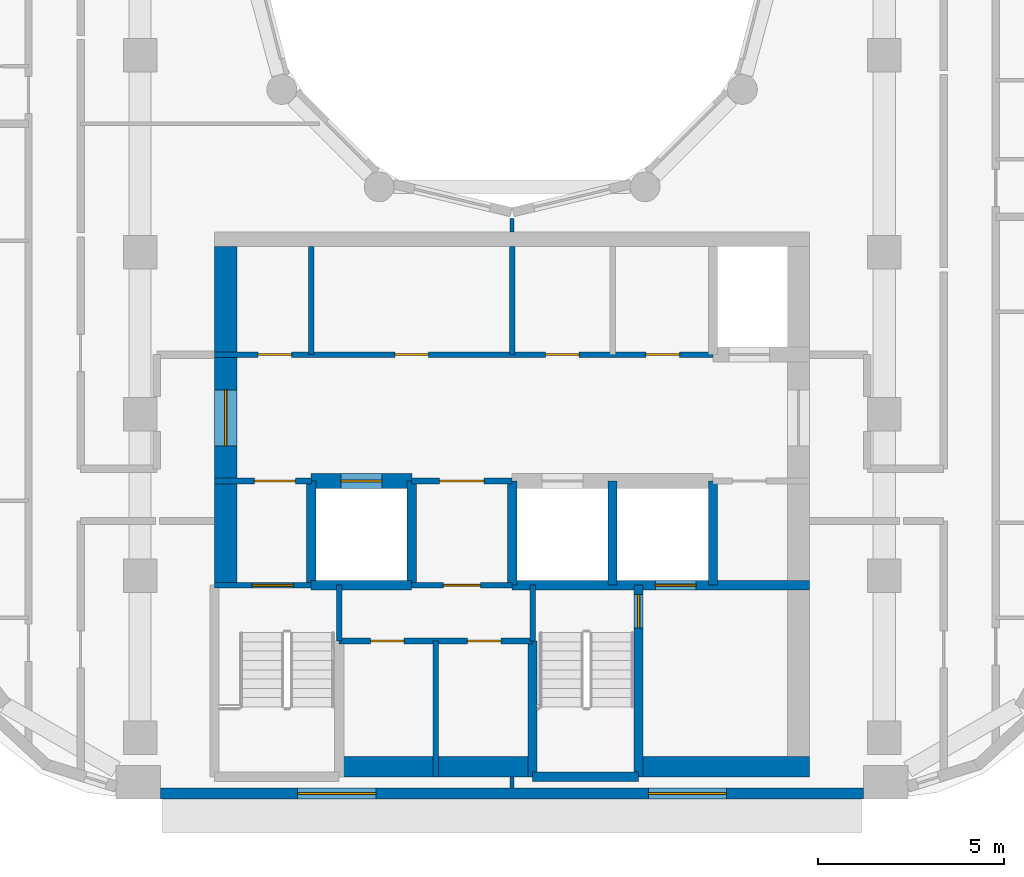
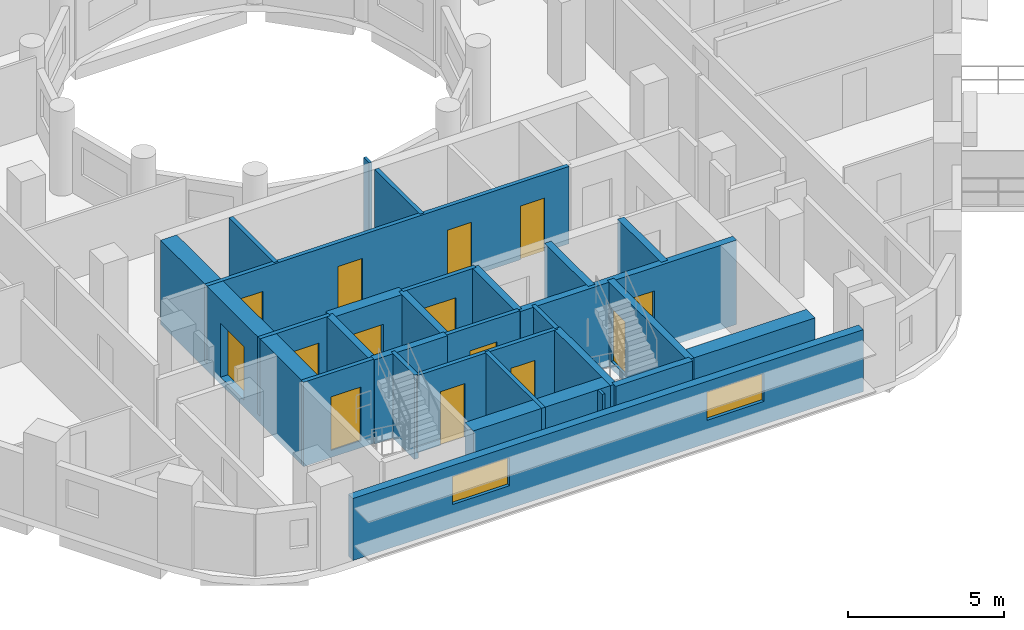
# One storey, part 3 of 16: 28 walls, 14 doors, 2 windows, 16 openings.
"""IFC4 building model written with IfcOpenShell, lengths in metres."""

from ifc_helpers import new_model, si_unit, direction, frame, frame_2d, origin, place, context, subcontext, project, spatial, rectangle, extrude, material, layer, layer_set, type_object, element, fill, save


model = new_model("IFC4")

# Units and contexts
model_context = context("Model", 3, precision=1e-05, world=origin(), true_north=direction((0.0, 1.0)))
body_context = subcontext(model_context, "Body", "Model", "MODEL_VIEW")
ifc_project = project(units=[si_unit("LENGTHUNIT", "METRE"), si_unit("AREAUNIT", "SQUARE_METRE"), si_unit("VOLUMEUNIT", "CUBIC_METRE"), si_unit("PLANEANGLEUNIT", "RADIAN"), si_unit("MASSUNIT", "GRAM", prefix="KILO")], contexts=[model_context])

# Site, building, storey
site_placement = place(None, origin())
site = spatial("IfcSite", under=ifc_project, at=site_placement, CompositionType="ELEMENT")
building_placement = place(site_placement, origin())
building = spatial("IfcBuilding", under=site, at=building_placement, Name="Nakaniwa Court", CompositionType="ELEMENT")
storey_placement = place(building_placement, frame((0.0, 0.0, 199.800048828125)))
storey = spatial("IfcBuildingStorey", under=building, at=storey_placement, Name="L52", CompositionType="ELEMENT", Elevation=199.800048828125)

# Wall, openings, windows
ifc_material_1 = material(Name="Charcoal ceramic cladding")
ifc_layer_1 = layer(ifc_material_1, 0.02, Name="Ceramic cladding")
ifc_material_2 = material(Name="Ventilated air cavity")
ifc_layer_2 = layer(ifc_material_2, 0.04, ventilated=True, Name="Ventilated cavity")
ifc_material_3 = material(Name="Mineral wool insulation")
ifc_layer_3 = layer(ifc_material_3, 0.1, Name="Insulation")
ifc_material_4 = material(Name="Cement bonded sheathing board")
ifc_layer_4 = layer(ifc_material_4, 0.012, Name="Sheathing")
ifc_material_5 = material(Name="Cold-formed galvanised stud frame with mineral wool infill")
ifc_layer_5 = layer(ifc_material_5, 0.1, Name="Stud frame")
ifc_material_6 = material(Name="Fire-rated gypsum plasterboard lining")
ifc_layer_6 = layer(ifc_material_6, 0.028, Name="Lining")
ifc_layer_set_1 = layer_set([ifc_layer_1, ifc_layer_2, ifc_layer_3, ifc_layer_4, ifc_layer_5, ifc_layer_6], Name="Charcoal ceramic faced external wall system")
wall_type_1 = type_object("IfcWallType", Name="Black ceramic faced external wall 300", PredefinedType="SOLIDWALL", material=ifc_layer_set_1)
wall_1_placement = place(storey_placement, frame((70.55078125, 57.5, 0.0), z_axis=(0.0, 0.0, 1.0), x_axis=(1.0, 0.0, 0.0)))
wall_1 = element("IfcWall", 1, at=wall_1_placement, inside=storey, type_object=wall_type_1, Name="L52 external wall 26", PredefinedType="SOLIDWALL", context=body_context, shape_type="SweptSolid", body=[
    extrude(rectangle(XDim=18.892822265625, YDim=0.300048828125, at=frame_2d((9.4462890625, 0.0))), origin(), (0.0, 0.0, 1.0), 2.425048828125),
])
opening_1_placement = place(wall_1_placement, frame((3.6865234375, 0.0, 0.89990234375)))
opening_1 = element("IfcOpeningElement", 2, at=opening_1_placement, cuts=wall_1, Name="Opening W7.26", PredefinedType="OPENING", context=body_context, shape_type="SweptSolid", body=[
    extrude(rectangle(XDim=2.10009765625, YDim=1.10009765625, at=frame_2d((1.050048828125, 0.550048828125))), frame((0.0, 0.159912109375, 0.0), z_axis=(0.0, -1.0, 0.0), x_axis=(1.0, 0.0, 0.0)), (0.0, 0.0, 1.0), 0.320068359375),
])
opening_2_placement = place(wall_1_placement, frame((13.10888671875, 0.0, 0.89990234375)))
opening_2 = element("IfcOpeningElement", 3, at=opening_2_placement, cuts=wall_1, Name="Opening W7.27", PredefinedType="OPENING", context=body_context, shape_type="SweptSolid", body=[
    extrude(rectangle(XDim=2.10009765625, YDim=1.10009765625, at=frame_2d((1.050048828125, 0.550048828125))), frame((0.0, 0.159912109375, 0.0), z_axis=(0.0, -1.0, 0.0), x_axis=(1.0, 0.0, 0.0)), (0.0, 0.0, 1.0), 0.320068359375),
])
ifc_material_7 = material(Name="Black anodised aluminium frame with dark low-E laminated double glazing", Category="aluminium")
window_type = type_object("IfcWindowType", Name="Dark glass window 2100x1100 sill 900", PartitioningType="SINGLE_PANEL", PredefinedType="WINDOW", material=ifc_material_7)
window_1_placement = place(opening_1_placement, origin())
window_1 = element("IfcWindow", 4, at=window_1_placement, inside=storey, type_object=window_type, Name="L52 habitable room window 26-0", OverallHeight=1.10009765625, OverallWidth=2.10009765625, PartitioningType="SINGLE_PANEL", PredefinedType="WINDOW", context=body_context, shape_type="SweptSolid", body=[
    extrude(rectangle(XDim=2.10009765625, YDim=1.10009765625, at=frame_2d((1.050048828125, 0.550048828125))), frame((0.0, 0.030029296875, 0.0), z_axis=(0.0, -1.0, 0.0), x_axis=(1.0, 0.0, 0.0)), (0.0, 0.0, 1.0), 0.06005859375),
])
fill(opening_1, window_1)
window_2_placement = place(opening_2_placement, origin())
window_2 = element("IfcWindow", 5, at=window_2_placement, inside=storey, type_object=window_type, Name="L52 habitable room window 26-1", OverallHeight=1.10009765625, OverallWidth=2.10009765625, PartitioningType="SINGLE_PANEL", PredefinedType="WINDOW", context=body_context, shape_type="SweptSolid", body=[
    extrude(rectangle(XDim=2.10009765625, YDim=1.10009765625, at=frame_2d((1.050048828125, 0.550048828125))), frame((0.0, 0.030029296875, 0.0), z_axis=(0.0, -1.0, 0.0), x_axis=(1.0, 0.0, 0.0)), (0.0, 0.0, 1.0), 0.06005859375),
])
fill(opening_2, window_2)

# Wall
ifc_material_8 = material(Name="Blockwork partition", Category="masonry")
ifc_layer_7 = layer(ifc_material_8, 0.14990234375)
ifc_layer_set_2 = layer_set([ifc_layer_7], Name="Blockwork partition")
wall_type_2 = type_object("IfcWallType", Name="Blockwork partition 150", PredefinedType="PARTITIONING", material=ifc_layer_set_2)
wall_2_placement = place(storey_placement, frame((74.60009765625, 69.300048828125, 0.0), z_axis=(0.0, 0.0, 1.0), x_axis=(0.0, 1.0, 0.0)))
element("IfcWall", 6, at=wall_2_placement, inside=storey, type_object=wall_type_2, Name="Partition PW-035", PredefinedType="PARTITIONING", context=body_context, shape_type="SweptSolid", body=[
    extrude(rectangle(XDim=2.89990234375, YDim=0.14990234375, at=frame_2d((1.449951171875, 0.0))), origin(), (0.0, 0.0, 1.0), 3.02490234375),
])

# Wall, openings, doors
wall_3_placement = place(storey_placement, frame((72.0, 69.300048828125, 0.0), z_axis=(0.0, 0.0, 1.0), x_axis=(1.0, 0.0, 0.0)))
wall_3 = element("IfcWall", 7, at=wall_3_placement, inside=storey, type_object=wall_type_2, Name="Partition PW-036", PredefinedType="PARTITIONING", context=body_context, shape_type="SweptSolid", body=[
    extrude(rectangle(XDim=13.39990234375, YDim=0.14990234375, at=frame_2d((6.699951171875, 0.0))), origin(), (0.0, 0.0, 1.0), 3.02490234375),
])
opening_3_placement = place(wall_3_placement, frame((1.175048828125, 0.0, 0.0)))
opening_3 = element("IfcOpeningElement", 8, at=opening_3_placement, cuts=wall_3, Name="Opening D-05-08", PredefinedType="OPENING", context=body_context, shape_type="SweptSolid", body=[
    extrude(rectangle(XDim=0.89990234375, YDim=2.10009765625, at=frame_2d((0.449951171875, 1.050048828125))), frame((0.0, 0.0849609375, 0.0), z_axis=(0.0, -1.0, 0.0), x_axis=(1.0, 0.0, 0.0)), (0.0, 0.0, 1.0), 0.169921875),
])
opening_4_placement = place(wall_3_placement, frame((4.85009765625, 0.0, 0.0)))
opening_4 = element("IfcOpeningElement", 9, at=opening_4_placement, cuts=wall_3, Name="Opening D-05-09", PredefinedType="OPENING", context=body_context, shape_type="SweptSolid", body=[
    extrude(rectangle(XDim=0.89990234375, YDim=2.10009765625, at=frame_2d((0.449951171875, 1.050048828125))), frame((0.0, 0.0849609375, 0.0), z_axis=(0.0, -1.0, 0.0), x_axis=(1.0, 0.0, 0.0)), (0.0, 0.0, 1.0), 0.169921875),
])
opening_5_placement = place(wall_3_placement, frame((8.89990234375, 0.0, 0.0)))
opening_5 = element("IfcOpeningElement", 10, at=opening_5_placement, cuts=wall_3, Name="Opening D-05-10", PredefinedType="OPENING", context=body_context, shape_type="SweptSolid", body=[
    extrude(rectangle(XDim=0.89990234375, YDim=2.10009765625, at=frame_2d((0.449951171875, 1.050048828125))), frame((0.0, 0.0849609375, 0.0), z_axis=(0.0, -1.0, 0.0), x_axis=(1.0, 0.0, 0.0)), (0.0, 0.0, 1.0), 0.169921875),
])
opening_6_placement = place(wall_3_placement, frame((11.60009765625, 0.0, 0.0)))
opening_6 = element("IfcOpeningElement", 11, at=opening_6_placement, cuts=wall_3, Name="Opening D-05-11", PredefinedType="OPENING", context=body_context, shape_type="SweptSolid", body=[
    extrude(rectangle(XDim=0.89990234375, YDim=2.10009765625, at=frame_2d((0.449951171875, 1.050048828125))), frame((0.0, 0.0849609375, 0.0), z_axis=(0.0, -1.0, 0.0), x_axis=(1.0, 0.0, 0.0)), (0.0, 0.0, 1.0), 0.169921875),
])
ifc_material_9 = material(Name="Fire rated steel door set", Category="steel")
door_type_1 = type_object("IfcDoorType", Name="Service room door 900", OperationType="NOTDEFINED", PredefinedType="DOOR", material=ifc_material_9)
door_1_placement = place(opening_3_placement, origin())
door_1 = element("IfcDoor", 12, at=door_1_placement, inside=storey, type_object=door_type_1, Name="Door D-05-08 L52-013", OperationType="SINGLE_SWING_RIGHT", OverallHeight=2.10009765625, OverallWidth=0.89990234375, PredefinedType="DOOR", context=body_context, shape_type="SweptSolid", body=[
    extrude(rectangle(XDim=0.89990234375, YDim=2.10009765625, at=frame_2d((0.449951171875, 1.050048828125))), frame((0.0, 0.02490234375, 0.0), z_axis=(0.0, -1.0, 0.0), x_axis=(1.0, 0.0, 0.0)), (0.0, 0.0, 1.0), 0.050048828125),
])
fill(opening_3, door_1)
door_2_placement = place(opening_4_placement, origin())
door_2 = element("IfcDoor", 13, at=door_2_placement, inside=storey, type_object=door_type_1, Name="Door D-05-09 L52-014", OperationType="SINGLE_SWING_LEFT", OverallHeight=2.10009765625, OverallWidth=0.89990234375, PredefinedType="DOOR", context=body_context, shape_type="SweptSolid", body=[
    extrude(rectangle(XDim=0.89990234375, YDim=2.10009765625, at=frame_2d((0.449951171875, 1.050048828125))), frame((0.0, 0.02490234375, 0.0), z_axis=(0.0, -1.0, 0.0), x_axis=(1.0, 0.0, 0.0)), (0.0, 0.0, 1.0), 0.050048828125),
])
fill(opening_4, door_2)
door_3_placement = place(opening_5_placement, origin())
door_3 = element("IfcDoor", 14, at=door_3_placement, inside=storey, type_object=door_type_1, Name="Door D-05-10 L52-015", OperationType="SINGLE_SWING_RIGHT", OverallHeight=2.10009765625, OverallWidth=0.89990234375, PredefinedType="DOOR", context=body_context, shape_type="SweptSolid", body=[
    extrude(rectangle(XDim=0.89990234375, YDim=2.10009765625, at=frame_2d((0.449951171875, 1.050048828125))), frame((0.0, 0.02490234375, 0.0), z_axis=(0.0, -1.0, 0.0), x_axis=(1.0, 0.0, 0.0)), (0.0, 0.0, 1.0), 0.050048828125),
])
fill(opening_5, door_3)
door_4_placement = place(opening_6_placement, origin())
door_4 = element("IfcDoor", 15, at=door_4_placement, inside=storey, type_object=door_type_1, Name="Door D-05-11 L52-016", OperationType="SINGLE_SWING_LEFT", OverallHeight=2.10009765625, OverallWidth=0.89990234375, PredefinedType="DOOR", context=body_context, shape_type="SweptSolid", body=[
    extrude(rectangle(XDim=0.89990234375, YDim=2.10009765625, at=frame_2d((0.449951171875, 1.050048828125))), frame((0.0, 0.02490234375, 0.0), z_axis=(0.0, -1.0, 0.0), x_axis=(1.0, 0.0, 0.0)), (0.0, 0.0, 1.0), 0.050048828125),
])
fill(opening_6, door_4)

# Wall
wall_4_placement = place(storey_placement, frame((80.0, 69.300048828125, 0.0), z_axis=(0.0, 0.0, 1.0), x_axis=(0.0, 1.0, 0.0)))
element("IfcWall", 16, at=wall_4_placement, inside=storey, type_object=wall_type_2, Name="Partition PW-042", PredefinedType="PARTITIONING", context=body_context, shape_type="SweptSolid", body=[
    extrude(rectangle(XDim=2.89990234375, YDim=0.14990234375, at=frame_2d((1.449951171875, 0.0))), origin(), (0.0, 0.0, 1.0), 3.02490234375),
])

# Wall, opening, door
wall_5_placement = place(storey_placement, frame((74.60302734375, 65.89990234375, 0.0), z_axis=(0.0, 0.0, 1.0), x_axis=(-1.0, 0.0, 0.0)))
wall_5 = element("IfcWall", 17, at=wall_5_placement, inside=storey, type_object=wall_type_2, Name="Partition PW-044", PredefinedType="PARTITIONING", context=body_context, shape_type="SweptSolid", body=[
    extrude(rectangle(XDim=2.60302734375, YDim=0.14990234375, at=frame_2d((1.301513671875, 0.0))), origin(), (0.0, 0.0, 1.0), 3.02490234375),
])
opening_7_placement = place(wall_5_placement, frame((0.427978515625, 0.0, 0.0)))
opening_7 = element("IfcOpeningElement", 18, at=opening_7_placement, cuts=wall_5, Name="Opening D-08-02", PredefinedType="OPENING", context=body_context, shape_type="SweptSolid", body=[
    extrude(rectangle(XDim=1.10009765625, YDim=2.10009765625, at=frame_2d((0.550048828125, 1.050048828125))), frame((0.0, 0.0849609375, 0.0), z_axis=(0.0, -1.0, 0.0), x_axis=(1.0, 0.0, 0.0)), (0.0, 0.0, 1.0), 0.169921875),
])
door_type_2 = type_object("IfcDoorType", Name="Stair lobby door 1100", OperationType="NOTDEFINED", PredefinedType="DOOR", material=ifc_material_9)
door_5_placement = place(opening_7_placement, origin())
door_5 = element("IfcDoor", 19, at=door_5_placement, inside=storey, type_object=door_type_2, Name="Door D-08-02 L52-017", OperationType="SINGLE_SWING_RIGHT", OverallHeight=2.10009765625, OverallWidth=1.10009765625, PredefinedType="DOOR", context=body_context, shape_type="SweptSolid", body=[
    extrude(rectangle(XDim=1.10009765625, YDim=2.10009765625, at=frame_2d((0.550048828125, 1.050048828125))), frame((0.0, 0.02490234375, 0.0), z_axis=(0.0, -1.0, 0.0), x_axis=(1.0, 0.0, 0.0)), (0.0, 0.0, 1.0), 0.050048828125),
])
fill(opening_7, door_5)

wall_6_placement = place(storey_placement, frame((80.0029296875, 65.89990234375, 0.0), z_axis=(0.0, 0.0, 1.0), x_axis=(-1.0, 0.0, 0.0)))
wall_6 = element("IfcWall", 20, at=wall_6_placement, inside=storey, type_object=wall_type_2, Name="Partition PW-045", PredefinedType="PARTITIONING", context=body_context, shape_type="SweptSolid", body=[
    extrude(rectangle(XDim=2.705810546875, YDim=0.14990234375, at=frame_2d((1.35302734375, 0.0))), origin(), (0.0, 0.0, 1.0), 3.02490234375),
])
opening_8_placement = place(wall_6_placement, frame((0.7529296875, 0.0, 0.0)))
opening_8 = element("IfcOpeningElement", 21, at=opening_8_placement, cuts=wall_6, Name="Opening D-06-02", PredefinedType="OPENING", context=body_context, shape_type="SweptSolid", body=[
    extrude(rectangle(XDim=1.199951171875, YDim=2.10009765625, at=frame_2d((0.60009765625, 1.050048828125))), frame((0.0, 0.0849609375, 0.0), z_axis=(0.0, -1.0, 0.0), x_axis=(1.0, 0.0, 0.0)), (0.0, 0.0, 1.0), 0.169921875),
])
ifc_material_10 = material(Name="Fire rated steel double door set", Category="steel")
door_type_3 = type_object("IfcDoorType", Name="Service passage double door 1200", OperationType="NOTDEFINED", PredefinedType="DOOR", material=ifc_material_10)
door_6_placement = place(opening_8_placement, origin())
door_6 = element("IfcDoor", 22, at=door_6_placement, inside=storey, type_object=door_type_3, Name="Door D-06-02 L52-018", OperationType="DOUBLE_DOOR_SINGLE_SWING", OverallHeight=2.10009765625, OverallWidth=1.199951171875, PredefinedType="DOOR", context=body_context, shape_type="SweptSolid", body=[
    extrude(rectangle(XDim=1.199951171875, YDim=2.10009765625, at=frame_2d((0.60009765625, 1.050048828125))), frame((0.0, 0.02490234375, 0.0), z_axis=(0.0, -1.0, 0.0), x_axis=(1.0, 0.0, 0.0)), (0.0, 0.0, 1.0), 0.050048828125),
])
fill(opening_8, door_6)

wall_7_placement = place(storey_placement, frame((80.0, 63.10009765625, 0.0), z_axis=(0.0, 0.0, 1.0), x_axis=(-1.0, 0.0, 0.0)))
wall_7 = element("IfcWall", 23, at=wall_7_placement, inside=storey, type_object=wall_type_2, Name="Partition PW-055", PredefinedType="PARTITIONING", context=body_context, shape_type="SweptSolid", body=[
    extrude(rectangle(XDim=2.699951171875, YDim=0.14990234375, at=frame_2d((1.35009765625, 0.0))), origin(), (0.0, 0.0, 1.0), 3.02490234375),
])
opening_9_placement = place(wall_7_placement, frame((0.85009765625, 0.0, 0.0)))
opening_9 = element("IfcOpeningElement", 24, at=opening_9_placement, cuts=wall_7, Name="Opening D-23-02", PredefinedType="OPENING", context=body_context, shape_type="SweptSolid", body=[
    extrude(rectangle(XDim=1.0, YDim=2.10009765625, at=frame_2d((0.5, 1.050048828125))), frame((0.0, 0.0849609375, 0.0), z_axis=(0.0, -1.0, 0.0), x_axis=(1.0, 0.0, 0.0)), (0.0, 0.0, 1.0), 0.169921875),
])
door_type_4 = type_object("IfcDoorType", Name="Service room door 1000", OperationType="NOTDEFINED", PredefinedType="DOOR", material=ifc_material_9)
door_7_placement = place(opening_9_placement, origin())
door_7 = element("IfcDoor", 25, at=door_7_placement, inside=storey, type_object=door_type_4, Name="Door D-23-02 L52-020", OperationType="SINGLE_SWING_LEFT", OverallHeight=2.10009765625, OverallWidth=1.0, PredefinedType="DOOR", context=body_context, shape_type="SweptSolid", body=[
    extrude(rectangle(XDim=1.0, YDim=2.10009765625, at=frame_2d((0.5, 1.050048828125))), frame((0.0, 0.02490234375, 0.0), z_axis=(0.0, -1.0, 0.0), x_axis=(1.0, 0.0, 0.0)), (0.0, 0.0, 1.0), 0.050048828125),
])
fill(opening_9, door_7)

# Wall, openings, doors
wall_8_placement = place(storey_placement, frame((80.550048828125, 61.60009765625, 0.0), z_axis=(0.0, 0.0, 1.0), x_axis=(-1.0, 0.0, 0.0)))
wall_8 = element("IfcWall", 26, at=wall_8_placement, inside=storey, type_object=wall_type_2, Name="Partition PW-067", PredefinedType="PARTITIONING", context=body_context, shape_type="SweptSolid", body=[
    extrude(rectangle(XDim=5.199951171875, YDim=0.14990234375, at=frame_2d((2.60009765625, 0.0))), origin(), (0.0, 0.0, 1.0), 3.02490234375),
])
opening_10_placement = place(wall_8_placement, frame((3.449951171875, 0.0, 0.0)))
opening_10 = element("IfcOpeningElement", 27, at=opening_10_placement, cuts=wall_8, Name="Opening D-05-13", PredefinedType="OPENING", context=body_context, shape_type="SweptSolid", body=[
    extrude(rectangle(XDim=0.89990234375, YDim=2.10009765625, at=frame_2d((0.449951171875, 1.050048828125))), frame((0.0, 0.0849609375, 0.0), z_axis=(0.0, -1.0, 0.0), x_axis=(1.0, 0.0, 0.0)), (0.0, 0.0, 1.0), 0.169921875),
])
opening_11_placement = place(wall_8_placement, frame((0.85009765625, 0.0, 0.0)))
opening_11 = element("IfcOpeningElement", 28, at=opening_11_placement, cuts=wall_8, Name="Opening D-05-14", PredefinedType="OPENING", context=body_context, shape_type="SweptSolid", body=[
    extrude(rectangle(XDim=0.89990234375, YDim=2.10009765625, at=frame_2d((0.449951171875, 1.050048828125))), frame((0.0, 0.0849609375, 0.0), z_axis=(0.0, -1.0, 0.0), x_axis=(1.0, 0.0, 0.0)), (0.0, 0.0, 1.0), 0.169921875),
])
door_8_placement = place(opening_10_placement, origin())
door_8 = element("IfcDoor", 29, at=door_8_placement, inside=storey, type_object=door_type_1, Name="Door D-05-13 L52-021", OperationType="SINGLE_SWING_RIGHT", OverallHeight=2.10009765625, OverallWidth=0.89990234375, PredefinedType="DOOR", context=body_context, shape_type="SweptSolid", body=[
    extrude(rectangle(XDim=0.89990234375, YDim=2.10009765625, at=frame_2d((0.449951171875, 1.050048828125))), frame((0.0, 0.02490234375, 0.0), z_axis=(0.0, -1.0, 0.0), x_axis=(1.0, 0.0, 0.0)), (0.0, 0.0, 1.0), 0.050048828125),
])
fill(opening_10, door_8)
door_9_placement = place(opening_11_placement, origin())
door_9 = element("IfcDoor", 30, at=door_9_placement, inside=storey, type_object=door_type_1, Name="Door D-05-14 L52-022", OperationType="SINGLE_SWING_LEFT", OverallHeight=2.10009765625, OverallWidth=0.89990234375, PredefinedType="DOOR", context=body_context, shape_type="SweptSolid", body=[
    extrude(rectangle(XDim=0.89990234375, YDim=2.10009765625, at=frame_2d((0.449951171875, 1.050048828125))), frame((0.0, 0.02490234375, 0.0), z_axis=(0.0, -1.0, 0.0), x_axis=(1.0, 0.0, 0.0)), (0.0, 0.0, 1.0), 0.050048828125),
])
fill(opening_11, door_9)

# Wall
wall_9_placement = place(storey_placement, frame((77.949951171875, 57.949951171875, 0.0), z_axis=(0.0, 0.0, 1.0), x_axis=(0.0, 1.0, 0.0)))
element("IfcWall", 31, at=wall_9_placement, inside=storey, type_object=wall_type_2, Name="Partition PW-068", PredefinedType="PARTITIONING", context=body_context, shape_type="SweptSolid", body=[
    extrude(rectangle(XDim=3.650146484375, YDim=0.14990234375, at=frame_2d((1.8251953125, 0.0))), origin(), (0.0, 0.0, 1.0), 3.02490234375),
])

# Wall, opening, door
ifc_material_11 = material(Name="Concrete C80/100", Category="concrete")
ifc_layer_8 = layer(ifc_material_11, 0.60009765625)
ifc_layer_set_3 = layer_set([ifc_layer_8], Name="Concrete C80/100")
wall_type_3 = type_object("IfcWallType", Name="Concrete core side wall 600 C80", PredefinedType="SHEAR", material=ifc_layer_set_3)
wall_10_placement = place(storey_placement, frame((72.300048828125, 63.10009765625, -0.275146484375), z_axis=(0.0, 0.0, 1.0), x_axis=(0.0, 1.0, 0.0)))
wall_10 = element("IfcWall", 32, at=wall_10_placement, inside=storey, type_object=wall_type_3, Name="Core wall SW-37", PredefinedType="SHEAR", context=body_context, shape_type="SweptSolid", body=[
    extrude(rectangle(XDim=9.099853515625, YDim=0.60009765625, at=frame_2d((4.5498046875, 0.0))), origin(), (0.0, 0.0, 1.0), 3.300048828125),
])
opening_12_placement = place(wall_10_placement, frame((3.748046875, 0.0, 0.27490234375)))
opening_12 = element("IfcOpeningElement", 33, at=opening_12_placement, cuts=wall_10, Name="Opening D-07-04", PredefinedType="OPENING", context=body_context, shape_type="SweptSolid", body=[
    extrude(rectangle(XDim=1.5, YDim=2.10009765625, at=frame_2d((0.75, 1.050048828125))), frame((0.0, 0.31005859375, 0.0), z_axis=(0.0, -1.0, 0.0), x_axis=(1.0, 0.0, 0.0)), (0.0, 0.0, 1.0), 0.6201171875),
])
ifc_material_12 = material(Name="Glazed fire rated steel double door set", Category="steel")
door_type_5 = type_object("IfcDoorType", Name="Lobby double door 1500", OperationType="NOTDEFINED", PredefinedType="DOOR", material=ifc_material_12)
door_10_placement = place(opening_12_placement, origin())
door_10 = element("IfcDoor", 34, at=door_10_placement, inside=storey, type_object=door_type_5, Name="Door D-07-04 L52-062", OperationType="DOUBLE_DOOR_SINGLE_SWING", OverallHeight=2.10009765625, OverallWidth=1.5, PredefinedType="DOOR", context=body_context, shape_type="SweptSolid", body=[
    extrude(rectangle(XDim=1.5, YDim=2.10009765625, at=frame_2d((0.75, 1.050048828125))), frame((0.0, 0.02490234375, 0.0), z_axis=(0.0, -1.0, 0.0), x_axis=(1.0, 0.0, 0.0)), (0.0, 0.0, 1.0), 0.050048828125),
])
fill(opening_12, door_10)

ifc_layer_9 = layer(ifc_material_11, 0.39990234375)
ifc_layer_set_4 = layer_set([ifc_layer_9], Name="Concrete C80/100")
wall_type_4 = type_object("IfcWallType", Name="Concrete core spine wall 400 C80", PredefinedType="SHEAR", material=ifc_layer_set_4)
wall_11_placement = place(storey_placement, frame((74.596923828125, 65.89990234375, -0.275146484375), z_axis=(0.0, 0.0, 1.0), x_axis=(1.0, 0.0, 0.0)))
wall_11 = element("IfcWall", 35, at=wall_11_placement, inside=storey, type_object=wall_type_4, Name="Core wall SW-47", PredefinedType="SHEAR", context=body_context, shape_type="SweptSolid", body=[
    extrude(rectangle(XDim=2.7060546875, YDim=0.39990234375, at=frame_2d((1.35302734375, 0.0))), origin(), (0.0, 0.0, 1.0), 3.300048828125),
])
opening_13_placement = place(wall_11_placement, frame((0.802978515625, 0.0, 0.27490234375)))
opening_13 = element("IfcOpeningElement", 36, at=opening_13_placement, cuts=wall_11, Name="Opening LD06", PredefinedType="OPENING", context=body_context, shape_type="SweptSolid", body=[
    extrude(rectangle(XDim=1.10009765625, YDim=2.10009765625, at=frame_2d((0.550048828125, 1.050048828125))), frame((0.0, 0.2099609375, 0.0), z_axis=(0.0, -1.0, 0.0), x_axis=(1.0, 0.0, 0.0)), (0.0, 0.0, 1.0), 0.419921875),
])
ifc_material_13 = material(Name="Stainless steel sliding lift landing door", Category="steel")
door_type_6 = type_object("IfcDoorType", Name="Lift landing door 1100", OperationType="NOTDEFINED", PredefinedType="DOOR", material=ifc_material_13)
door_11_placement = place(opening_13_placement, origin())
door_11 = element("IfcDoor", 37, at=door_11_placement, inside=storey, type_object=door_type_6, Name="Lift landing door LD06 L52-006", OperationType="SLIDING_TO_LEFT", OverallHeight=2.10009765625, OverallWidth=1.10009765625, PredefinedType="DOOR", context=body_context, shape_type="SweptSolid", body=[
    extrude(rectangle(XDim=1.10009765625, YDim=2.10009765625, at=frame_2d((0.550048828125, 1.050048828125))), frame((0.0, 0.02490234375, 0.0), z_axis=(0.0, -1.0, 0.0), x_axis=(1.0, 0.0, 0.0)), (0.0, 0.0, 1.0), 0.050048828125),
])
fill(opening_13, door_11)

ifc_layer_10 = layer(ifc_material_11, 0.14990234375)
ifc_layer_set_5 = layer_set([ifc_layer_10], Name="Concrete C80/100")
wall_type_5 = type_object("IfcWallType", Name="Concrete core wall 150 C80", PredefinedType="SHEAR", material=ifc_layer_set_5)
wall_12_placement = place(storey_placement, frame((72.0, 63.10009765625, -0.275146484375), z_axis=(0.0, 0.0, 1.0), x_axis=(1.0, 0.0, 0.0)))
wall_12 = element("IfcWall", 38, at=wall_12_placement, inside=storey, type_object=wall_type_5, Name="Core wall SW-50", PredefinedType="SHEAR", context=body_context, shape_type="SweptSolid", body=[
    extrude(rectangle(XDim=2.60009765625, YDim=0.14990234375, at=frame_2d((1.300048828125, 0.0))), origin(), (0.0, 0.0, 1.0), 3.300048828125),
])
opening_14_placement = place(wall_12_placement, frame((1.02001953125, 0.0, 0.27490234375)))
opening_14 = element("IfcOpeningElement", 39, at=opening_14_placement, cuts=wall_12, Name="Opening D-09-02", PredefinedType="OPENING", context=body_context, shape_type="SweptSolid", body=[
    extrude(rectangle(XDim=1.10009765625, YDim=2.10009765625, at=frame_2d((0.550048828125, 1.050048828125))), frame((0.0, 0.0849609375, 0.0), z_axis=(0.0, -1.0, 0.0), x_axis=(1.0, 0.0, 0.0)), (0.0, 0.0, 1.0), 0.169921875),
])
door_type_7 = type_object("IfcDoorType", Name="Stair door 1100", OperationType="NOTDEFINED", PredefinedType="DOOR", material=ifc_material_9)
door_12_placement = place(opening_14_placement, origin())
door_12 = element("IfcDoor", 40, at=door_12_placement, inside=storey, type_object=door_type_7, Name="Door D-09-02 L52-023", OperationType="SINGLE_SWING_LEFT", OverallHeight=2.10009765625, OverallWidth=1.10009765625, PredefinedType="DOOR", context=body_context, shape_type="SweptSolid", body=[
    extrude(rectangle(XDim=1.10009765625, YDim=2.10009765625, at=frame_2d((0.550048828125, 1.050048828125))), frame((0.0, 0.02490234375, 0.0), z_axis=(0.0, -1.0, 0.0), x_axis=(1.0, 0.0, 0.0)), (0.0, 0.0, 1.0), 0.050048828125),
])
fill(opening_14, door_12)

# Walls
for number, where, z_axis, x_axis, name in (
    (41, (75.35009765625, 61.596923828125, -0.275146484375), (0.0, 0.0, 1.0), (0.0, 1.0, 0.0), "Core wall SW-57"),
    (42, (80.550048828125, 61.596923828125, -0.275146484375), (0.0, 0.0, 1.0), (0.0, 1.0, 0.0), "Core wall SW-63"),
):
    element("IfcWall", number, at=place(storey_placement, frame(where, z_axis=z_axis, x_axis=x_axis)), inside=storey, type_object=wall_type_5, Name=name, PredefinedType="SHEAR", context=body_context, shape_type="SweptSolid", body=[
        extrude(rectangle(XDim=1.503173828125, YDim=0.14990234375, at=frame_2d((0.75146484375, 0.0))), origin(), (0.0, 0.0, 1.0), 3.300048828125),
    ])
ifc_layer_11 = layer(ifc_material_11, 0.25)
ifc_layer_set_6 = layer_set([ifc_layer_11], Name="Concrete C80/100")
wall_type_6 = type_object("IfcWallType", Name="Concrete core wall 250 C80", PredefinedType="SHEAR", material=ifc_layer_set_6)
wall_13_placement = place(storey_placement, frame((80.550048828125, 57.949951171875, -0.275146484375), z_axis=(0.0, 0.0, 1.0), x_axis=(1.0, 0.0, 0.0)))
element("IfcWall", 43, at=wall_13_placement, inside=storey, type_object=wall_type_6, Name="Core wall SW-61", PredefinedType="SHEAR", context=body_context, shape_type="SweptSolid", body=[
    extrude(rectangle(XDim=2.849853515625, YDim=0.25, at=frame_2d((1.4248046875, 0.0))), origin(), (0.0, 0.0, 1.0), 3.300048828125),
])
ifc_layer_12 = layer(ifc_material_11, 0.550048828125)
ifc_layer_set_7 = layer_set([ifc_layer_12], Name="Concrete C80/100")
wall_type_7 = type_object("IfcWallType", Name="Concrete core wall 550 C80", PredefinedType="SHEAR", material=ifc_layer_set_7)
wall_14_placement = place(storey_placement, frame((75.35009765625, 58.22509765625, -0.275146484375), z_axis=(0.0, 0.0, 1.0), x_axis=(1.0, 0.0, 0.0)))
element("IfcWall", 44, at=wall_14_placement, inside=storey, type_object=wall_type_7, Name="Core wall SW-65", PredefinedType="SHEAR", context=body_context, shape_type="SweptSolid", body=[
    extrude(rectangle(XDim=5.199951171875, YDim=0.550048828125, at=frame_2d((2.60009765625, 0.0))), origin(), (0.0, 0.0, 1.0), 3.300048828125),
])
wall_15_placement = place(storey_placement, frame((83.39990234375, 58.22509765625, -0.275146484375), z_axis=(0.0, 0.0, 1.0), x_axis=(1.0, 0.0, 0.0)))
element("IfcWall", 45, at=wall_15_placement, inside=storey, type_object=wall_type_7, Name="Core wall SW-66", PredefinedType="SHEAR", context=body_context, shape_type="SweptSolid", body=[
    extrude(rectangle(XDim=4.60009765625, YDim=0.550048828125, at=frame_2d((2.300048828125, 0.0))), origin(), (0.0, 0.0, 1.0), 3.300048828125),
])
ifc_layer_13 = layer(ifc_material_11, 0.25)
ifc_layer_set_8 = layer_set([ifc_layer_13], Name="Concrete C80/100")
wall_type_8 = type_object("IfcWallType", Name="Concrete shaft wall 250 C80", PredefinedType="SHEAR", material=ifc_layer_set_8)
for number, where, z_axis, x_axis, name in (
    (46, (85.39990234375, 63.10009765625, -0.275146484375), (0.0, 0.0, 1.0), (0.0, 1.0, 0.0), "Core wall SW-38"),
    (47, (74.60009765625, 63.10009765625, -0.275146484375), (0.0, 0.0, 1.0), (0.0, 1.0, 0.0), "Core wall SW-49"),
    (48, (77.300048828125, 63.10009765625, -0.275146484375), (0.0, 0.0, 1.0), (0.0, 1.0, 0.0), "Core wall SW-51"),
):
    element("IfcWall", number, at=place(storey_placement, frame(where, z_axis=z_axis, x_axis=x_axis)), inside=storey, type_object=wall_type_8, Name=name, PredefinedType="SHEAR", context=body_context, shape_type="SweptSolid", body=[
        extrude(rectangle(XDim=2.7998046875, YDim=0.25, at=frame_2d((1.39990234375, 0.0))), origin(), (0.0, 0.0, 1.0), 3.300048828125),
    ])
wall_16_placement = place(storey_placement, frame((74.60009765625, 63.10009765625, -0.275146484375), z_axis=(0.0, 0.0, 1.0), x_axis=(1.0, 0.0, 0.0)))
element("IfcWall", 49, at=wall_16_placement, inside=storey, type_object=wall_type_8, Name="Core wall SW-52", PredefinedType="SHEAR", context=body_context, shape_type="SweptSolid", body=[
    extrude(rectangle(XDim=2.699951171875, YDim=0.25, at=frame_2d((1.35009765625, 0.0))), origin(), (0.0, 0.0, 1.0), 3.300048828125),
])

# Wall, opening, door
wall_17_placement = place(storey_placement, frame((80.0, 63.10009765625, -0.275146484375), z_axis=(0.0, 0.0, 1.0), x_axis=(1.0, 0.0, 0.0)))
wall_17 = element("IfcWall", 50, at=wall_17_placement, inside=storey, type_object=wall_type_8, Name="Core wall SW-53", PredefinedType="SHEAR", context=body_context, shape_type="SweptSolid", body=[
    extrude(rectangle(XDim=8.0, YDim=0.25, at=frame_2d((4.0, 0.0))), origin(), (0.0, 0.0, 1.0), 3.300048828125),
])
opening_15_placement = place(wall_17_placement, frame((3.84912109375, 0.0, 0.27490234375)))
opening_15 = element("IfcOpeningElement", 51, at=opening_15_placement, cuts=wall_17, Name="Opening LD08", PredefinedType="OPENING", context=body_context, shape_type="SweptSolid", body=[
    extrude(rectangle(XDim=1.10009765625, YDim=2.10009765625, at=frame_2d((0.550048828125, 1.050048828125))), frame((0.0, 0.135009765625, 0.0), z_axis=(0.0, -1.0, 0.0), x_axis=(1.0, 0.0, 0.0)), (0.0, 0.0, 1.0), 0.27001953125),
])
door_13_placement = place(opening_15_placement, origin())
door_13 = element("IfcDoor", 52, at=door_13_placement, inside=storey, type_object=door_type_6, Name="Lift landing door LD08 L52-008", OperationType="SLIDING_TO_LEFT", OverallHeight=2.10009765625, OverallWidth=1.10009765625, PredefinedType="DOOR", context=body_context, shape_type="SweptSolid", body=[
    extrude(rectangle(XDim=1.10009765625, YDim=2.10009765625, at=frame_2d((0.550048828125, 1.050048828125))), frame((0.0, 0.02490234375, 0.0), z_axis=(0.0, -1.0, 0.0), x_axis=(1.0, 0.0, 0.0)), (0.0, 0.0, 1.0), 0.050048828125),
])
fill(opening_15, door_13)

# Walls
for number, where, z_axis, x_axis, name in (
    (53, (80.0, 63.10009765625, -0.275146484375), (0.0, 0.0, 1.0), (0.0, 1.0, 0.0), "Core wall SW-54"),
    (54, (82.699951171875, 63.10009765625, -0.275146484375), (0.0, 0.0, 1.0), (0.0, 1.0, 0.0), "Core wall SW-56"),
):
    element("IfcWall", number, at=place(storey_placement, frame(where, z_axis=z_axis, x_axis=x_axis)), inside=storey, type_object=wall_type_8, Name=name, PredefinedType="SHEAR", context=body_context, shape_type="SweptSolid", body=[
        extrude(rectangle(XDim=2.7998046875, YDim=0.25, at=frame_2d((1.39990234375, 0.0))), origin(), (0.0, 0.0, 1.0), 3.300048828125),
    ])

# Wall, opening, door
wall_18_placement = place(storey_placement, frame((83.39990234375, 63.10009765625, -0.275146484375), z_axis=(0.0, 0.0, 1.0), x_axis=(0.0, -1.0, 0.0)))
wall_18 = element("IfcWall", 55, at=wall_18_placement, inside=storey, type_object=wall_type_8, Name="Core wall SW-62", PredefinedType="SHEAR", context=body_context, shape_type="SweptSolid", body=[
    extrude(rectangle(XDim=5.150146484375, YDim=0.25, at=frame_2d((2.5751953125, 0.0))), origin(), (0.0, 0.0, 1.0), 3.300048828125),
])
opening_16_placement = place(wall_18_placement, frame((0.25, 0.0, 0.27490234375)))
opening_16 = element("IfcOpeningElement", 56, at=opening_16_placement, cuts=wall_18, Name="Opening D-11-02", PredefinedType="OPENING", context=body_context, shape_type="SweptSolid", body=[
    extrude(rectangle(XDim=0.89990234375, YDim=2.10009765625, at=frame_2d((0.449951171875, 1.050048828125))), frame((0.0, 0.135009765625, 0.0), z_axis=(0.0, -1.0, 0.0), x_axis=(1.0, 0.0, 0.0)), (0.0, 0.0, 1.0), 0.27001953125),
])
door_type_8 = type_object("IfcDoorType", Name="Stair door 900", OperationType="NOTDEFINED", PredefinedType="DOOR", material=ifc_material_9)
door_14_placement = place(opening_16_placement, origin())
door_14 = element("IfcDoor", 57, at=door_14_placement, inside=storey, type_object=door_type_8, Name="Door D-11-02 L52-024", OperationType="SINGLE_SWING_RIGHT", OverallHeight=2.10009765625, OverallWidth=0.89990234375, PredefinedType="DOOR", context=body_context, shape_type="SweptSolid", body=[
    extrude(rectangle(XDim=0.89990234375, YDim=2.10009765625, at=frame_2d((0.449951171875, 1.050048828125))), frame((0.0, 0.02490234375, 0.0), z_axis=(0.0, -1.0, 0.0), x_axis=(1.0, 0.0, 0.0)), (0.0, 0.0, 1.0), 0.050048828125),
])
fill(opening_16, door_14)

# Walls
wall_19_placement = place(storey_placement, frame((80.550048828125, 57.949951171875, -0.275146484375), z_axis=(0.0, 0.0, 1.0), x_axis=(0.0, 1.0, 0.0)))
element("IfcWall", 58, at=wall_19_placement, inside=storey, type_object=wall_type_8, Name="Core wall SW-64", PredefinedType="SHEAR", context=body_context, shape_type="SweptSolid", body=[
    extrude(rectangle(XDim=3.653076171875, YDim=0.25, at=frame_2d((1.82666015625, 0.0))), origin(), (0.0, 0.0, 1.0), 3.300048828125),
])
ifc_material_14 = material(Name="Single stud plasterboard partition")
ifc_layer_14 = layer(ifc_material_14, 0.10009765625)
ifc_layer_set_9 = layer_set([ifc_layer_14], Name="Single stud plasterboard partition")
wall_type_9 = type_object("IfcWallType", Name="Single stud plasterboard partition 100", PredefinedType="PARTITIONING", material=ifc_layer_set_9)
wall_20_placement = place(storey_placement, frame((80.0, 57.64990234375, 0.0), z_axis=(0.0, 0.0, 1.0), x_axis=(0.0, 1.0, 0.0)))
element("IfcWall", 59, at=wall_20_placement, inside=storey, type_object=wall_type_9, Name="Partition PW-107", PredefinedType="PARTITIONING", context=body_context, shape_type="SweptSolid", body=[
    extrude(rectangle(XDim=0.300048828125, YDim=0.10009765625, at=frame_2d((0.14990234375, 0.0))), origin(), (0.0, 0.0, 1.0), 3.02490234375),
])
wall_21_placement = place(storey_placement, frame((80.0, 72.60009765625, 0.0), z_axis=(0.0, 0.0, 1.0), x_axis=(0.0, 1.0, 0.0)))
element("IfcWall", 60, at=wall_21_placement, inside=storey, type_object=wall_type_9, Name="Partition PW-108", PredefinedType="PARTITIONING", context=body_context, shape_type="SweptSolid", body=[
    extrude(rectangle(XDim=0.351806640625, YDim=0.10009765625, at=frame_2d((0.17578125, 0.0))), origin(), (0.0, 0.0, 1.0), 3.02490234375),
])

save(model, "model.ifc")
